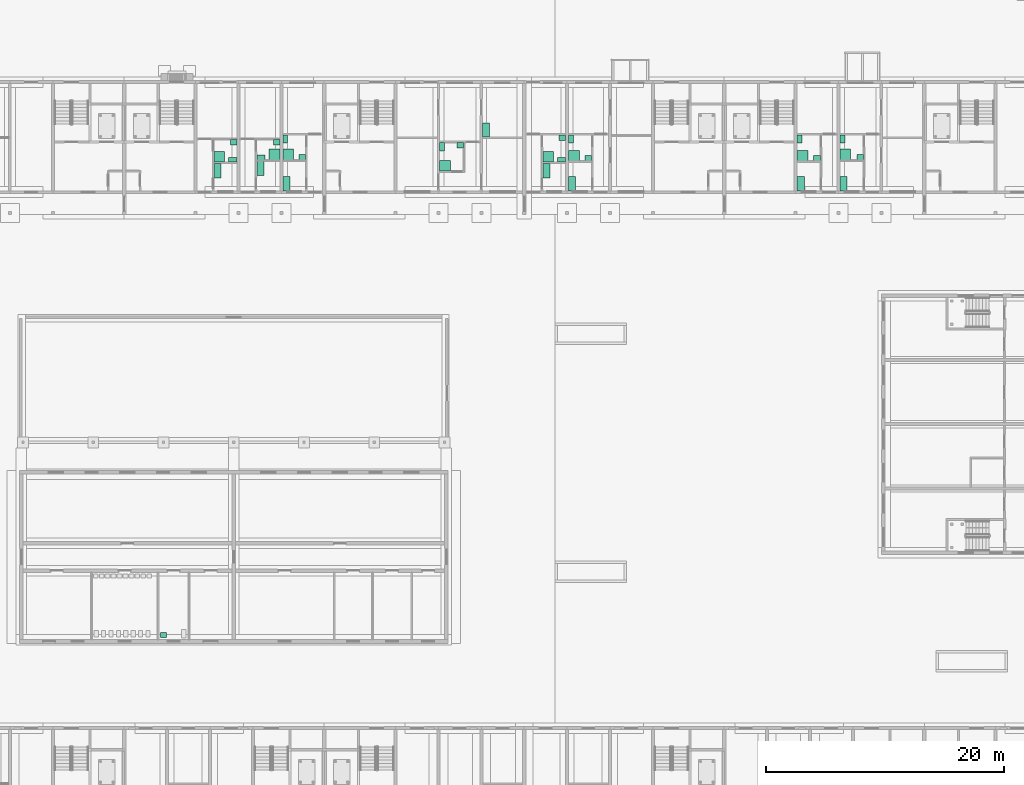
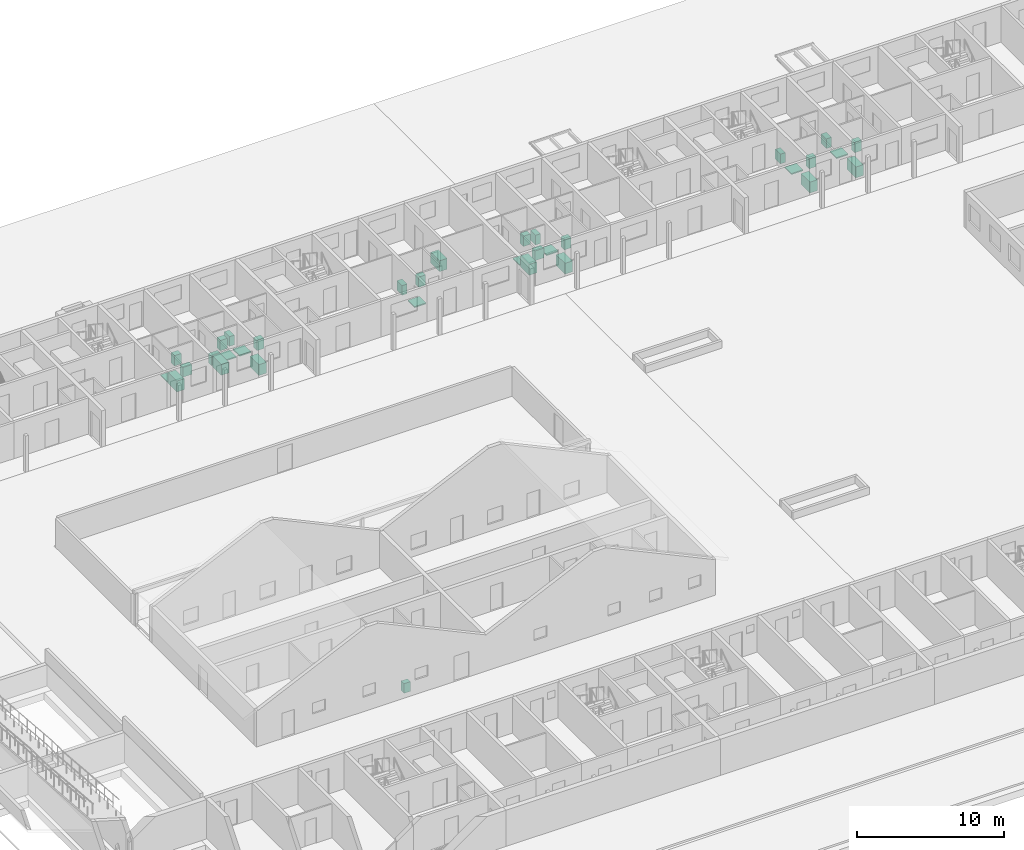
# One storey, part 108 of 112: 33 sanitary terminals.
"""IFC4 building model written with IfcOpenShell, lengths in metres."""

from ifc_helpers import new_model, si_unit, direction, frame, origin, origin_2d, place, context, subcontext, project, spatial, rectangle, extrude, element, save


model = new_model("IFC4")

# Units and contexts
model_context = context("Model", 3, precision=1e-05, world=origin(), true_north=direction((0.0, 1.0)))
body_context = subcontext(model_context, "Body", "Model", "MODEL_VIEW")
ifc_project = project(units=[si_unit("LENGTHUNIT", "METRE"), si_unit("AREAUNIT", "SQUARE_METRE"), si_unit("VOLUMEUNIT", "CUBIC_METRE"), si_unit("PLANEANGLEUNIT", "RADIAN"), si_unit("MASSUNIT", "GRAM", prefix="KILO")], contexts=[model_context])

# Site, building, storey
site_placement = place(None, origin())
site = spatial("IfcSite", under=ifc_project, at=site_placement, CompositionType="ELEMENT")
building_placement = place(site_placement, origin())
building = spatial("IfcBuilding", under=site, at=building_placement, Name="Ridgestep Commons", CompositionType="ELEMENT")
storey_placement = place(building_placement, origin())
storey = spatial("IfcBuildingStorey", under=building, at=storey_placement, Name="L00", CompositionType="ELEMENT", Elevation=0.0)

# Sanitary terminals
sanitary_terminal_1_placement = place(storey_placement, frame((42.574951171875, 71.06005859375, 0.0), z_axis=(0.0, 0.0, 1.0), x_axis=(1.0, 0.0, 0.0)))
element("IfcSanitaryTerminal", 1, at=sanitary_terminal_1_placement, inside=storey, Name="Shower tray B2-00a", PredefinedType="SHOWER", context=body_context, shape_type="SweptSolid", body=[
    extrude(rectangle(XDim=0.89990234375, YDim=0.89990234375, at=origin_2d()), origin(), (0.0, 0.0, 1.0), 0.10009765625),
])
sanitary_terminal_2_placement = place(storey_placement, frame((42.324951171875, 72.35009765625, 0.0), z_axis=(0.0, 0.0, 1.0), x_axis=(1.0, 0.0, 0.0)))
element("IfcSanitaryTerminal", 2, at=sanitary_terminal_2_placement, inside=storey, Name="WC B2-00a", PredefinedType="TOILETPAN", context=body_context, shape_type="SweptSolid", body=[
    extrude(rectangle(XDim=0.39990234375, YDim=0.699951171875, at=origin_2d()), origin(), (0.0, 0.0, 1.0), 0.800048828125),
])
sanitary_terminal_3_placement = place(storey_placement, frame((43.764892578125, 70.8349609375, 0.0), z_axis=(0.0, 0.0, 1.0), x_axis=(1.0, 0.0, 0.0)))
element("IfcSanitaryTerminal", 3, at=sanitary_terminal_3_placement, inside=storey, Name="Basin B2-00a", PredefinedType="WASHHANDBASIN", context=body_context, shape_type="SweptSolid", body=[
    extrude(rectangle(XDim=0.550048828125, YDim=0.449951171875, at=origin_2d()), origin(), (0.0, 0.0, 1.0), 0.85009765625),
])
sanitary_terminal_4_placement = place(storey_placement, frame((42.425048828125, 68.60009765625, 0.0), z_axis=(0.0, 0.0, 1.0), x_axis=(1.0, 0.0, 0.0)))
element("IfcSanitaryTerminal", 4, at=sanitary_terminal_4_placement, inside=storey, Name="Kitchen sink B2-00a", PredefinedType="SINK", context=body_context, shape_type="SweptSolid", body=[
    extrude(rectangle(XDim=0.60009765625, YDim=1.199951171875, at=origin_2d()), origin(), (0.0, 0.0, 1.0), 0.89990234375),
])
sanitary_terminal_5_placement = place(storey_placement, frame((41.425048828125, 71.06005859375, 0.0), z_axis=(0.0, 0.0, 1.0), x_axis=(1.0, 0.0, 0.0)))
element("IfcSanitaryTerminal", 5, at=sanitary_terminal_5_placement, inside=storey, Name="Shower tray B2-00b", PredefinedType="SHOWER", context=body_context, shape_type="SweptSolid", body=[
    extrude(rectangle(XDim=0.89990234375, YDim=0.89990234375, at=origin_2d()), origin(), (0.0, 0.0, 1.0), 0.10009765625),
])
sanitary_terminal_6_placement = place(storey_placement, frame((40.284912109375, 70.81005859375, 0.0), z_axis=(0.0, 0.0, 1.0), x_axis=(1.0, 0.0, 0.0)))
element("IfcSanitaryTerminal", 6, at=sanitary_terminal_6_placement, inside=storey, Name="WC B2-00b", PredefinedType="TOILETPAN", context=body_context, shape_type="SweptSolid", body=[
    extrude(rectangle(XDim=0.699951171875, YDim=0.39990234375, at=origin_2d()), origin(), (0.0, 0.0, 1.0), 0.800048828125),
])
sanitary_terminal_7_placement = place(storey_placement, frame((41.60009765625, 72.074951171875, 0.0), z_axis=(0.0, 0.0, 1.0), x_axis=(1.0, 0.0, 0.0)))
element("IfcSanitaryTerminal", 7, at=sanitary_terminal_7_placement, inside=storey, Name="Basin B2-00b", PredefinedType="WASHHANDBASIN", context=body_context, shape_type="SweptSolid", body=[
    extrude(rectangle(XDim=0.550048828125, YDim=0.449951171875, at=origin_2d()), origin(), (0.0, 0.0, 1.0), 0.85009765625),
])
sanitary_terminal_8_placement = place(storey_placement, frame((40.235107421875, 69.89990234375, 0.0), z_axis=(0.0, 0.0, 1.0), x_axis=(1.0, 0.0, 0.0)))
element("IfcSanitaryTerminal", 8, at=sanitary_terminal_8_placement, inside=storey, Name="Kitchen sink B2-00b", PredefinedType="SINK", context=body_context, shape_type="SweptSolid", body=[
    extrude(rectangle(XDim=0.60009765625, YDim=1.199951171875, at=origin_2d()), origin(), (0.0, 0.0, 1.0), 0.89990234375),
])
sanitary_terminal_9_placement = place(storey_placement, frame((36.784912109375, 70.860107421875, 0.0), z_axis=(0.0, 0.0, 1.0), x_axis=(1.0, 0.0, 0.0)))
element("IfcSanitaryTerminal", 9, at=sanitary_terminal_9_placement, inside=storey, Name="Shower tray B2-00c", PredefinedType="SHOWER", context=body_context, shape_type="SweptSolid", body=[
    extrude(rectangle(XDim=0.89990234375, YDim=0.89990234375, at=origin_2d()), origin(), (0.0, 0.0, 1.0), 0.10009765625),
])
sanitary_terminal_10_placement = place(storey_placement, frame((37.925048828125, 70.610107421875, 0.0), z_axis=(0.0, 0.0, 1.0), x_axis=(1.0, 0.0, 0.0)))
element("IfcSanitaryTerminal", 10, at=sanitary_terminal_10_placement, inside=storey, Name="WC B2-00c", PredefinedType="TOILETPAN", context=body_context, shape_type="SweptSolid", body=[
    extrude(rectangle(XDim=0.699951171875, YDim=0.39990234375, at=origin_2d()), origin(), (0.0, 0.0, 1.0), 0.800048828125),
])
sanitary_terminal_11_placement = place(storey_placement, frame((38.0, 72.074951171875, 0.0), z_axis=(0.0, 0.0, 1.0), x_axis=(1.0, 0.0, 0.0)))
element("IfcSanitaryTerminal", 11, at=sanitary_terminal_11_placement, inside=storey, Name="Basin B2-00c", PredefinedType="WASHHANDBASIN", context=body_context, shape_type="SweptSolid", body=[
    extrude(rectangle(XDim=0.550048828125, YDim=0.449951171875, at=origin_2d()), origin(), (0.0, 0.0, 1.0), 0.85009765625),
])
sanitary_terminal_12_placement = place(storey_placement, frame((36.635009765625, 69.699951171875, 0.0), z_axis=(0.0, 0.0, 1.0), x_axis=(1.0, 0.0, 0.0)))
element("IfcSanitaryTerminal", 12, at=sanitary_terminal_12_placement, inside=storey, Name="Kitchen sink B2-00c", PredefinedType="SINK", context=body_context, shape_type="SweptSolid", body=[
    extrude(rectangle(XDim=0.60009765625, YDim=1.199951171875, at=origin_2d()), origin(), (0.0, 0.0, 1.0), 0.89990234375),
])
sanitary_terminal_13_placement = place(storey_placement, frame((55.75, 70.110107421875, 0.0), z_axis=(0.0, 0.0, 1.0), x_axis=(1.0, 0.0, 0.0)))
element("IfcSanitaryTerminal", 13, at=sanitary_terminal_13_placement, inside=storey, Name="Shower tray B3-00a", PredefinedType="SHOWER", context=body_context, shape_type="SweptSolid", body=[
    extrude(rectangle(XDim=0.89990234375, YDim=0.89990234375, at=origin_2d()), origin(), (0.0, 0.0, 1.0), 0.10009765625),
])
sanitary_terminal_14_placement = place(storey_placement, frame((55.5, 71.7099609375, 0.0), z_axis=(0.0, 0.0, 1.0), x_axis=(1.0, 0.0, 0.0)))
element("IfcSanitaryTerminal", 14, at=sanitary_terminal_14_placement, inside=storey, Name="WC B3-00a", PredefinedType="TOILETPAN", context=body_context, shape_type="SweptSolid", body=[
    extrude(rectangle(XDim=0.39990234375, YDim=0.699951171875, at=origin_2d()), origin(), (0.0, 0.0, 1.0), 0.800048828125),
])
sanitary_terminal_15_placement = place(storey_placement, frame((57.014892578125, 71.8349609375, 0.0), z_axis=(0.0, 0.0, 1.0), x_axis=(1.0, 0.0, 0.0)))
element("IfcSanitaryTerminal", 15, at=sanitary_terminal_15_placement, inside=storey, Name="Basin B3-00a", PredefinedType="WASHHANDBASIN", context=body_context, shape_type="SweptSolid", body=[
    extrude(rectangle(XDim=0.550048828125, YDim=0.449951171875, at=origin_2d()), origin(), (0.0, 0.0, 1.0), 0.85009765625),
])
sanitary_terminal_16_placement = place(storey_placement, frame((59.199951171875, 73.110107421875, 0.0), z_axis=(0.0, 0.0, 1.0), x_axis=(1.0, 0.0, 0.0)))
element("IfcSanitaryTerminal", 16, at=sanitary_terminal_16_placement, inside=storey, Name="Kitchen sink B3-00a", PredefinedType="SINK", context=body_context, shape_type="SweptSolid", body=[
    extrude(rectangle(XDim=0.60009765625, YDim=1.199951171875, at=origin_2d()), origin(), (0.0, 0.0, 1.0), 0.89990234375),
])
sanitary_terminal_17_placement = place(storey_placement, frame((64.409912109375, 70.860107421875, 0.0), z_axis=(0.0, 0.0, 1.0), x_axis=(1.0, 0.0, 0.0)))
element("IfcSanitaryTerminal", 17, at=sanitary_terminal_17_placement, inside=storey, Name="Shower tray B4-00a", PredefinedType="SHOWER", context=body_context, shape_type="SweptSolid", body=[
    extrude(rectangle(XDim=0.89990234375, YDim=0.89990234375, at=origin_2d()), origin(), (0.0, 0.0, 1.0), 0.10009765625),
])
sanitary_terminal_18_placement = place(storey_placement, frame((65.52490234375, 70.610107421875, 0.0), z_axis=(0.0, 0.0, 1.0), x_axis=(1.0, 0.0, 0.0)))
element("IfcSanitaryTerminal", 18, at=sanitary_terminal_18_placement, inside=storey, Name="WC B4-00a", PredefinedType="TOILETPAN", context=body_context, shape_type="SweptSolid", body=[
    extrude(rectangle(XDim=0.699951171875, YDim=0.39990234375, at=origin_2d()), origin(), (0.0, 0.0, 1.0), 0.800048828125),
])
sanitary_terminal_19_placement = place(storey_placement, frame((65.60009765625, 72.47509765625, 0.0), z_axis=(0.0, 0.0, 1.0), x_axis=(1.0, 0.0, 0.0)))
element("IfcSanitaryTerminal", 19, at=sanitary_terminal_19_placement, inside=storey, Name="Basin B4-00a", PredefinedType="WASHHANDBASIN", context=body_context, shape_type="SweptSolid", body=[
    extrude(rectangle(XDim=0.550048828125, YDim=0.449951171875, at=origin_2d()), origin(), (0.0, 0.0, 1.0), 0.85009765625),
])
sanitary_terminal_20_placement = place(storey_placement, frame((64.260009765625, 69.699951171875, 0.0), z_axis=(0.0, 0.0, 1.0), x_axis=(1.0, 0.0, 0.0)))
element("IfcSanitaryTerminal", 20, at=sanitary_terminal_20_placement, inside=storey, Name="Kitchen sink B4-00a", PredefinedType="SINK", context=body_context, shape_type="SweptSolid", body=[
    extrude(rectangle(XDim=0.60009765625, YDim=1.199951171875, at=origin_2d()), origin(), (0.0, 0.0, 1.0), 0.89990234375),
])
sanitary_terminal_21_placement = place(storey_placement, frame((66.574951171875, 70.9599609375, 0.0), z_axis=(0.0, 0.0, 1.0), x_axis=(1.0, 0.0, 0.0)))
element("IfcSanitaryTerminal", 21, at=sanitary_terminal_21_placement, inside=storey, Name="Shower tray B4-00b", PredefinedType="SHOWER", context=body_context, shape_type="SweptSolid", body=[
    extrude(rectangle(XDim=0.89990234375, YDim=0.89990234375, at=origin_2d()), origin(), (0.0, 0.0, 1.0), 0.10009765625),
])
sanitary_terminal_22_placement = place(storey_placement, frame((66.324951171875, 72.35009765625, 0.0), z_axis=(0.0, 0.0, 1.0), x_axis=(1.0, 0.0, 0.0)))
element("IfcSanitaryTerminal", 22, at=sanitary_terminal_22_placement, inside=storey, Name="WC B4-00b", PredefinedType="TOILETPAN", context=body_context, shape_type="SweptSolid", body=[
    extrude(rectangle(XDim=0.39990234375, YDim=0.699951171875, at=origin_2d()), origin(), (0.0, 0.0, 1.0), 0.800048828125),
])
sanitary_terminal_23_placement = place(storey_placement, frame((67.7900390625, 70.735107421875, 0.0), z_axis=(0.0, 0.0, 1.0), x_axis=(1.0, 0.0, 0.0)))
element("IfcSanitaryTerminal", 23, at=sanitary_terminal_23_placement, inside=storey, Name="Basin B4-00b", PredefinedType="WASHHANDBASIN", context=body_context, shape_type="SweptSolid", body=[
    extrude(rectangle(XDim=0.550048828125, YDim=0.449951171875, at=origin_2d()), origin(), (0.0, 0.0, 1.0), 0.85009765625),
])
sanitary_terminal_24_placement = place(storey_placement, frame((66.425048828125, 68.60009765625, 0.0), z_axis=(0.0, 0.0, 1.0), x_axis=(1.0, 0.0, 0.0)))
element("IfcSanitaryTerminal", 24, at=sanitary_terminal_24_placement, inside=storey, Name="Kitchen sink B4-00b", PredefinedType="SINK", context=body_context, shape_type="SweptSolid", body=[
    extrude(rectangle(XDim=0.60009765625, YDim=1.199951171875, at=origin_2d()), origin(), (0.0, 0.0, 1.0), 0.89990234375),
])
sanitary_terminal_25_placement = place(storey_placement, frame((89.375, 71.06005859375, 0.0), z_axis=(0.0, 0.0, 1.0), x_axis=(1.0, 0.0, 0.0)))
element("IfcSanitaryTerminal", 25, at=sanitary_terminal_25_placement, inside=storey, Name="Shower tray B5-00a", PredefinedType="SHOWER", context=body_context, shape_type="SweptSolid", body=[
    extrude(rectangle(XDim=0.89990234375, YDim=0.89990234375, at=origin_2d()), origin(), (0.0, 0.0, 1.0), 0.10009765625),
])
sanitary_terminal_26_placement = place(storey_placement, frame((89.125, 72.35009765625, 0.0), z_axis=(0.0, 0.0, 1.0), x_axis=(1.0, 0.0, 0.0)))
element("IfcSanitaryTerminal", 26, at=sanitary_terminal_26_placement, inside=storey, Name="WC B5-00a", PredefinedType="TOILETPAN", context=body_context, shape_type="SweptSolid", body=[
    extrude(rectangle(XDim=0.39990234375, YDim=0.699951171875, at=origin_2d()), origin(), (0.0, 0.0, 1.0), 0.800048828125),
])
sanitary_terminal_27_placement = place(storey_placement, frame((90.614990234375, 70.8349609375, 0.0), z_axis=(0.0, 0.0, 1.0), x_axis=(1.0, 0.0, 0.0)))
element("IfcSanitaryTerminal", 27, at=sanitary_terminal_27_placement, inside=storey, Name="Basin B5-00a", PredefinedType="WASHHANDBASIN", context=body_context, shape_type="SweptSolid", body=[
    extrude(rectangle(XDim=0.550048828125, YDim=0.449951171875, at=origin_2d()), origin(), (0.0, 0.0, 1.0), 0.85009765625),
])
sanitary_terminal_28_placement = place(storey_placement, frame((89.22509765625, 68.60009765625, 0.0), z_axis=(0.0, 0.0, 1.0), x_axis=(1.0, 0.0, 0.0)))
element("IfcSanitaryTerminal", 28, at=sanitary_terminal_28_placement, inside=storey, Name="Kitchen sink B5-00a", PredefinedType="SINK", context=body_context, shape_type="SweptSolid", body=[
    extrude(rectangle(XDim=0.60009765625, YDim=1.199951171875, at=origin_2d()), origin(), (0.0, 0.0, 1.0), 0.89990234375),
])
sanitary_terminal_29_placement = place(storey_placement, frame((85.77490234375, 70.9599609375, 0.0), z_axis=(0.0, 0.0, 1.0), x_axis=(1.0, 0.0, 0.0)))
element("IfcSanitaryTerminal", 29, at=sanitary_terminal_29_placement, inside=storey, Name="Shower tray B5-00b", PredefinedType="SHOWER", context=body_context, shape_type="SweptSolid", body=[
    extrude(rectangle(XDim=0.89990234375, YDim=0.89990234375, at=origin_2d()), origin(), (0.0, 0.0, 1.0), 0.10009765625),
])
sanitary_terminal_30_placement = place(storey_placement, frame((85.52490234375, 72.35009765625, 0.0), z_axis=(0.0, 0.0, 1.0), x_axis=(1.0, 0.0, 0.0)))
element("IfcSanitaryTerminal", 30, at=sanitary_terminal_30_placement, inside=storey, Name="WC B5-00b", PredefinedType="TOILETPAN", context=body_context, shape_type="SweptSolid", body=[
    extrude(rectangle(XDim=0.39990234375, YDim=0.699951171875, at=origin_2d()), origin(), (0.0, 0.0, 1.0), 0.800048828125),
])
sanitary_terminal_31_placement = place(storey_placement, frame((86.989990234375, 70.735107421875, 0.0), z_axis=(0.0, 0.0, 1.0), x_axis=(1.0, 0.0, 0.0)))
element("IfcSanitaryTerminal", 31, at=sanitary_terminal_31_placement, inside=storey, Name="Basin B5-00b", PredefinedType="WASHHANDBASIN", context=body_context, shape_type="SweptSolid", body=[
    extrude(rectangle(XDim=0.550048828125, YDim=0.449951171875, at=origin_2d()), origin(), (0.0, 0.0, 1.0), 0.85009765625),
])
sanitary_terminal_32_placement = place(storey_placement, frame((85.625, 68.60009765625, 0.0), z_axis=(0.0, 0.0, 1.0), x_axis=(1.0, 0.0, 0.0)))
element("IfcSanitaryTerminal", 32, at=sanitary_terminal_32_placement, inside=storey, Name="Kitchen sink B5-00b", PredefinedType="SINK", context=body_context, shape_type="SweptSolid", body=[
    extrude(rectangle(XDim=0.60009765625, YDim=1.199951171875, at=origin_2d()), origin(), (0.0, 0.0, 1.0), 0.89990234375),
])
sanitary_terminal_33_placement = place(storey_placement, frame((32.10498046875, 30.699951171875, 0.0), z_axis=(0.0, 0.0, 1.0), x_axis=(1.0, 0.0, 0.0)))
element("IfcSanitaryTerminal", 33, at=sanitary_terminal_33_placement, inside=storey, Name="Accessible basin", PredefinedType="WASHHANDBASIN", context=body_context, shape_type="SweptSolid", body=[
    extrude(rectangle(XDim=0.5, YDim=0.39990234375, at=origin_2d()), origin(), (0.0, 0.0, 1.0), 0.800048828125),
])

save(model, "model.ifc")
